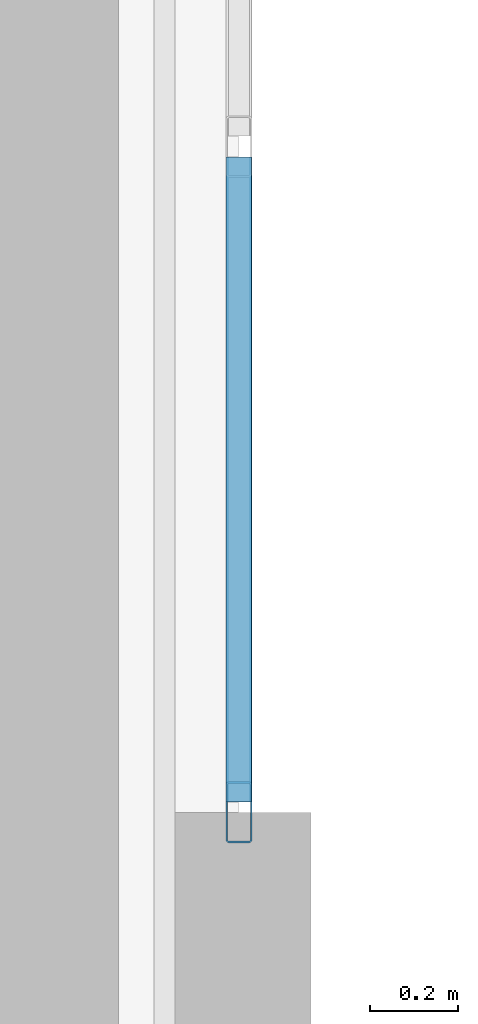
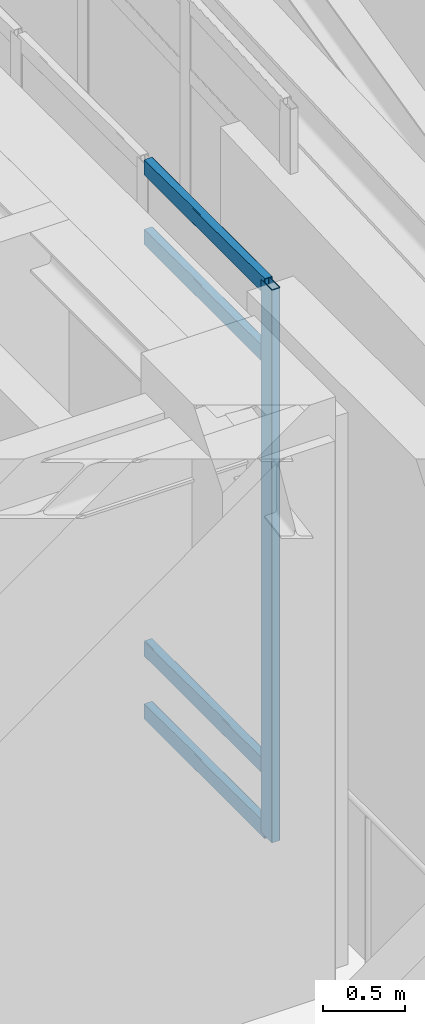
# One storey, part 4 of 19: 5 members, 1 element without a shape of its own.
"""IFC4 building model written with IfcOpenShell, lengths in metres."""

from ifc_helpers import new_model, si_unit, direction, frame, origin, origin_2d, place, context, subcontext, project, spatial, hollow_rectangle, extrude, material, layer, layer_set, material_profile, profile_set, type_object, element, aggregate, save


model = new_model("IFC4")

# Units and contexts
model_context = context("Model", 3, precision=1e-05, world=origin(), true_north=direction((0.0, 1.0)))
body_context = subcontext(model_context, "Body", "Model", "MODEL_VIEW")
ifc_project = project(units=[si_unit("LENGTHUNIT", "METRE"), si_unit("AREAUNIT", "SQUARE_METRE"), si_unit("VOLUMEUNIT", "CUBIC_METRE"), si_unit("PLANEANGLEUNIT", "RADIAN"), si_unit("MASSUNIT", "GRAM", prefix="KILO")], contexts=[model_context])

# Site, building, storey
site_placement = place(None, origin())
site = spatial("IfcSite", under=ifc_project, at=site_placement, CompositionType="ELEMENT")
building_placement = place(site_placement, origin())
building = spatial("IfcBuilding", under=site, at=building_placement, Name="Ndelora Gate Hotel", CompositionType="ELEMENT")
storey_placement = place(building_placement, frame((0.0, 0.0, 290.39990234375)))
storey = spatial("IfcBuildingStorey", under=building, at=storey_placement, Name="L72", CompositionType="ELEMENT", Elevation=290.39990234375)

# Curtain wall, members
ifc_material_1 = material(Name="Bronze Anodised Unitised Aluminium and Low-E Glass", Category="aluminium")
ifc_layer = layer(ifc_material_1, 0.199951171875)
ifc_layer_set = layer_set([ifc_layer], Name="Bronze Anodised Unitised Aluminium and Low-E Glass")
curtain_wall_type = type_object("IfcCurtainWallType", Name="CW-SYS-8", PredefinedType="NOTDEFINED", material=ifc_layer_set)
curtain_wall_placement = place(storey_placement, origin())
curtain_wall = element("IfcCurtainWall", 1, at=curtain_wall_placement, inside=storey, type_object=curtain_wall_type, Name="L72 Split-Crown West Cleft Lantern Curtain Wall CW8-1", PredefinedType="NOTDEFINED")
ifc_material_2 = material(Name="Bronze Anodised Aluminium 6063-T6", Category="aluminium")
ifc_material_profile_1 = material_profile(ifc_material_2, hollow_rectangle(XDim=0.06005859375, YDim=0.139892578125, WallThickness=0.00390625, InnerFilletRadius=0.00390625, OuterFilletRadius=0.008056640625, at=origin_2d()), Name="ALU 140x60x4")
ifc_profile_set_1 = profile_set([ifc_material_profile_1], Name="Bronze Anodised Aluminium 6063-T6")
member_type_1 = type_object("IfcMemberType", Name="MB-CW-MUL140", PredefinedType="MULLION", material=ifc_profile_set_1)
member_1_placement = place(storey_placement, frame((8.85009765625, -5.52001953125, -0.00390625), z_axis=(0.0, 0.0, 1.0), x_axis=(-1.0, 0.0, 0.0)))
member_1 = element("IfcMember", 2, at=member_1_placement, type_object=member_type_1, Name="CW8 mullion 1", PredefinedType="MULLION", context=body_context, shape_type="SweptSolid", body=[
    extrude(hollow_rectangle(XDim=0.06005859375, YDim=0.139892578125, WallThickness=0.00390625, InnerFilletRadius=0.00390625, OuterFilletRadius=0.008056640625, at=origin_2d()), origin(), (0.0, 0.0, 1.0), 4.137939453125),
])
ifc_material_profile_2 = material_profile(ifc_material_2, hollow_rectangle(XDim=0.06005859375, YDim=0.1201171875, WallThickness=0.00390625, InnerFilletRadius=0.00390625, OuterFilletRadius=0.008056640625, at=origin_2d()), Name="ALU 120x60x4")
ifc_profile_set_2 = profile_set([ifc_material_profile_2], Name="Bronze Anodised Aluminium 6063-T6")
member_type_2 = type_object("IfcMemberType", Name="MB-CW-TRN120", PredefinedType="USERDEFINED", material=ifc_profile_set_2)
member_2_placement = place(storey_placement, frame((8.85009765625, -5.49609375, 0.030029296875), z_axis=(0.0, 1.0, 0.0), x_axis=(-1.0, 0.0, 0.0)))
member_2 = element("IfcMember", 3, at=member_2_placement, type_object=member_type_2, Name="CW8 transom 1.1", ObjectType="TRANSOM", PredefinedType="USERDEFINED", context=body_context, shape_type="SweptSolid", body=[
    extrude(hollow_rectangle(XDim=0.06005859375, YDim=0.1201171875, WallThickness=0.00390625, InnerFilletRadius=0.00390625, OuterFilletRadius=0.008056640625, at=origin_2d()), origin(), (0.0, 0.0, 1.0), 1.47216796875),
])
member_3_placement = place(storey_placement, frame((8.85009765625, -5.49609375, 0.5), z_axis=(0.0, 1.0, 0.0), x_axis=(-1.0, 0.0, 0.0)))
member_3 = element("IfcMember", 4, at=member_3_placement, type_object=member_type_2, Name="CW8 transom 1.2", ObjectType="TRANSOM", PredefinedType="USERDEFINED", context=body_context, shape_type="SweptSolid", body=[
    extrude(hollow_rectangle(XDim=0.06005859375, YDim=0.1201171875, WallThickness=0.00390625, InnerFilletRadius=0.00390625, OuterFilletRadius=0.008056640625, at=origin_2d()), origin(), (0.0, 0.0, 1.0), 1.47216796875),
])
member_4_placement = place(storey_placement, frame((8.85009765625, -5.49609375, 3.580078125), z_axis=(0.0, 1.0, 0.0), x_axis=(-1.0, 0.0, 0.0)))
member_4 = element("IfcMember", 5, at=member_4_placement, type_object=member_type_2, Name="CW8 transom 1.3", ObjectType="TRANSOM", PredefinedType="USERDEFINED", context=body_context, shape_type="SweptSolid", body=[
    extrude(hollow_rectangle(XDim=0.06005859375, YDim=0.1201171875, WallThickness=0.00390625, InnerFilletRadius=0.00390625, OuterFilletRadius=0.008056640625, at=origin_2d()), origin(), (0.0, 0.0, 1.0), 1.47216796875),
])
member_5_placement = place(storey_placement, frame((8.85009765625, -5.49609375, 4.10009765625), z_axis=(0.0, 1.0, 0.0), x_axis=(-1.0, 0.0, 0.0)))
member_5 = element("IfcMember", 6, at=member_5_placement, type_object=member_type_2, Name="CW8 transom 1.4", ObjectType="TRANSOM", PredefinedType="USERDEFINED", context=body_context, shape_type="SweptSolid", body=[
    extrude(hollow_rectangle(XDim=0.06005859375, YDim=0.1201171875, WallThickness=0.00390625, InnerFilletRadius=0.00390625, OuterFilletRadius=0.008056640625, at=origin_2d()), origin(), (0.0, 0.0, 1.0), 1.47216796875),
])
aggregate(curtain_wall, [member_1, member_2, member_3, member_4, member_5])

save(model, "model.ifc")
